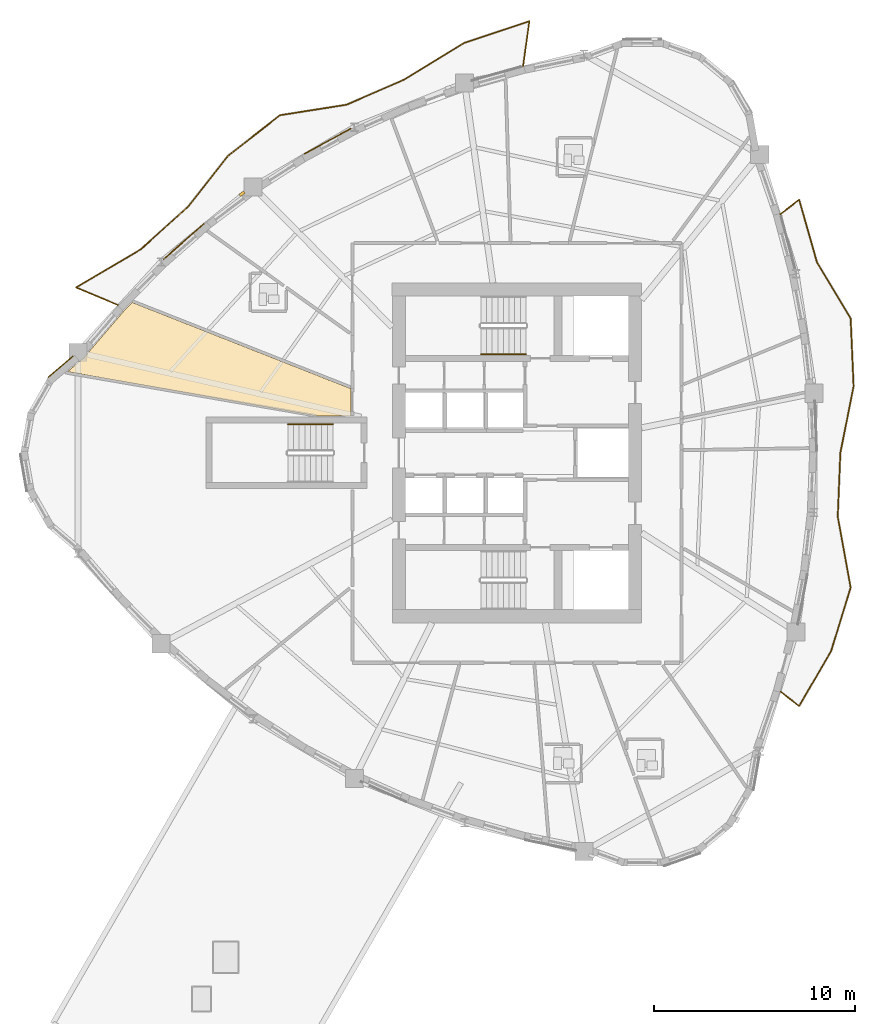
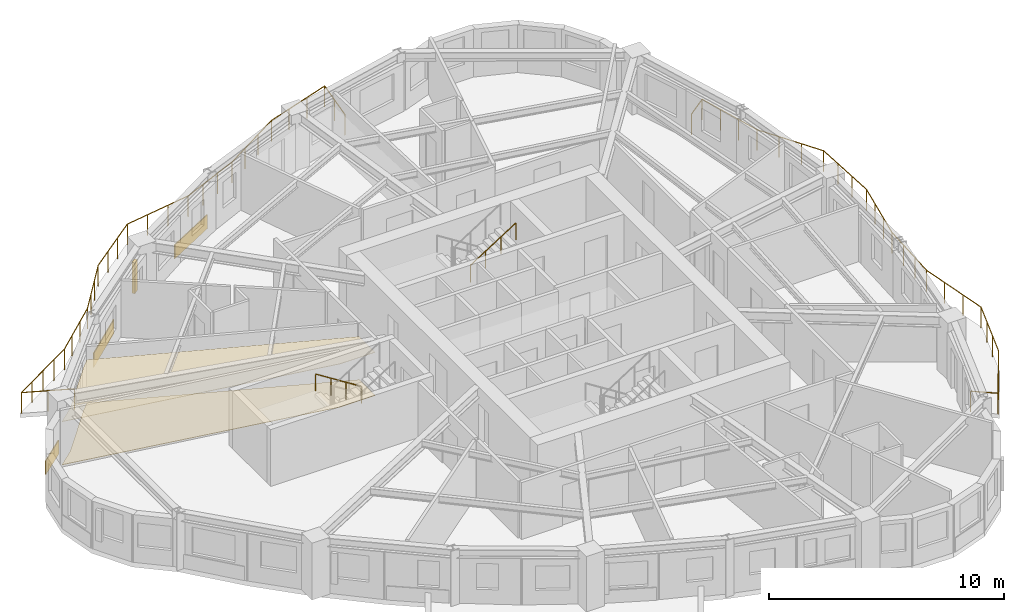
# One storey, part 12 of 14: 5 coverings, 4 railings, 1 shading device.
"""IFC4 building model written with IfcOpenShell, lengths in metres."""

from ifc_helpers import new_model, si_unit, direction, frame, origin, origin_2d, place, context, subcontext, project, spatial, polyline, rectangle, circle, outline, extrude, source, transform, mapped, material, layer, layer_set, type_object, element, save


model = new_model("IFC4")

# Units and contexts
model_context = context("Model", 3, precision=1e-05, world=origin(), true_north=direction((0.0, 1.0)))
body_context = subcontext(model_context, "Body", "Model", "MODEL_VIEW")
ifc_project = project(units=[si_unit("LENGTHUNIT", "METRE"), si_unit("AREAUNIT", "SQUARE_METRE"), si_unit("VOLUMEUNIT", "CUBIC_METRE"), si_unit("PLANEANGLEUNIT", "RADIAN"), si_unit("MASSUNIT", "GRAM", prefix="KILO")], contexts=[model_context])

# Site, building, storey
site_placement = place(None, origin())
site = spatial("IfcSite", under=ifc_project, at=site_placement, CompositionType="ELEMENT")
building_placement = place(site_placement, origin())
building = spatial("IfcBuilding", under=site, at=building_placement, Name="Qafzar Sky-Pleat Residences", CompositionType="ELEMENT")
storey_placement = place(building_placement, frame((0.0, 0.0, 118.39990234375)))
storey = spatial("IfcBuildingStorey", under=building, at=storey_placement, Name="L35", CompositionType="ELEMENT", Elevation=118.39990234375)

# Coverings
ifc_material_1 = material(Name="Perforated acoustic gypsum board ceiling")
ifc_layer_1 = layer(ifc_material_1, 0.02001953125)
ifc_layer_set_1 = layer_set([ifc_layer_1], Name="Perforated acoustic gypsum board ceiling")
covering_type_1 = type_object("IfcCoveringType", Name="COV-CEIL-ACOUSTIC", PredefinedType="CEILING", material=ifc_layer_set_1)
covering_1_placement = place(storey_placement, frame((0.0, 0.0, 2.239990234375)))
element("IfcCovering", 1, at=covering_1_placement, inside=storey, type_object=covering_type_1, Name="L35 Common Dining Room Acoustic Ceiling", PredefinedType="CEILING", context=body_context, shape_type="SweptSolid", body=[
    extrude(outline(polyline([(22.110107421875, 27.8349609375), (20.379150390625, 27.8349609375), (8.004150390625, 30.036865234375), (8.804931640625, 30.71923828125), (10.82373046875, 33.074951171875), (11.221435546875, 33.478515625), (22.110107421875, 29.184814453125), (22.110107421875, 27.8349609375)])), origin(), (0.0, 0.0, 1.0), 0.02001953125),
])
ifc_material_2 = material(Name="Honed porcelain and Riyadh stone tile flooring", Category="masonry")
ifc_layer_2 = layer(ifc_material_2, 0.02001953125)
ifc_layer_set_2 = layer_set([ifc_layer_2], Name="Honed porcelain and Riyadh stone tile flooring")
covering_type_2 = type_object("IfcCoveringType", Name="COV-FLR-PORCELAIN", PredefinedType="FLOORING", material=ifc_layer_set_2)
covering_2_placement = place(storey_placement, origin())
element("IfcCovering", 2, at=covering_2_placement, inside=storey, type_object=covering_type_2, Name="L35 Common Dining Room Honed Stone Flooring", PredefinedType="FLOORING", context=body_context, shape_type="SweptSolid", body=[
    extrude(outline(polyline([(22.110107421875, 27.8349609375), (20.379150390625, 27.8349609375), (8.004150390625, 30.036865234375), (8.804931640625, 30.71923828125), (10.82373046875, 33.074951171875), (11.221435546875, 33.478515625), (22.110107421875, 29.184814453125), (22.110107421875, 27.8349609375)])), origin(), (0.0, 0.0, 1.0), 0.02001953125),
])

# Shading device
ifc_material_3 = material(Name="Honed Riyadh limestone solar fin", Category="masonry")
ifc_layer_3 = layer(ifc_material_3, 0.139892578125)
ifc_layer_set_3 = layer_set([ifc_layer_3], Name="Honed Riyadh limestone solar fin")
shading_device_type = type_object("IfcShadingDeviceType", Name="SHD-FIN-STONE", PredefinedType="SHUTTER", material=ifc_layer_set_3)
shared_shape_1 = source(origin(), body_context, "Body", "SweptSolid", [
    extrude(rectangle(XDim=0.139892578125, YDim=0.280029296875, at=origin_2d()), origin(), (0.0, 0.0, 1.0), 1.60009765625),
])
shading_device_placement = place(storey_placement, frame((16.68310546875, 38.885498046875, 0.60009765625), z_axis=(0.0, 0.0, 1.0), x_axis=(-0.602208472618, 0.798338872602, 0.0)))
element("IfcShadingDevice", 3, at=shading_device_placement, inside=storey, type_object=shading_device_type, Name="L35 Limestone Solar Fin 45", PredefinedType="SHUTTER", context=body_context, shape_type="MappedRepresentation", body=[
    mapped(shared_shape_1, transform((0.0, 0.0, 0.0), x_axis=(1.0, 0.0, 0.0), y_axis=(0.0, 1.0, 0.0), z_axis=(0.0, 0.0, 1.0), scale=1.0)),
])

# Covering
ifc_material_4 = material(Name="Honed Riyadh Tuwaiq limestone cladding", Category="masonry")
ifc_layer_4 = layer(ifc_material_4, 0.044921875)
ifc_layer_set_4 = layer_set([ifc_layer_4], Name="Honed Riyadh Tuwaiq limestone cladding")
covering_type_3 = type_object("IfcCoveringType", Name="COV-CLAD-STONE", PredefinedType="CLADDING", material=ifc_layer_set_4)
shared_shape_2 = source(origin(), body_context, "Body", "SweptSolid", [
    extrude(rectangle(XDim=1.62451171875, YDim=0.044921875, at=origin_2d()), origin(), (0.0, 0.0, 1.0), 0.719970703125),
])
covering_3_placement = place(storey_placement, frame((7.652587890625, 30.2783203125, 0.02001953125), z_axis=(0.0, 0.0, 1.0), x_axis=(-0.761154082005, -0.648571093595, 0.0)))
element("IfcCovering", 4, at=covering_3_placement, inside=storey, type_object=covering_type_3, Name="L35 Riyadh Limestone Spandrel Cladding 1", PredefinedType="CLADDING", context=body_context, shape_type="MappedRepresentation", body=[
    mapped(shared_shape_2, transform((0.0, 0.0, 0.0), x_axis=(1.0, 0.0, 0.0), y_axis=(0.0, 1.0, 0.0), z_axis=(0.0, 0.0, 1.0), scale=1.0)),
])

# Railings
ifc_material_5 = material(Name="Laminated glass and bronze steel balustrade", Category="steel")
railing_type_1 = type_object("IfcRailingType", Name="RAIL-BAL-1100", PredefinedType="BALUSTRADE", material=ifc_material_5)
shared_shape_3 = source(origin(), body_context, "Body", "SweptSolid", [
    extrude(circle(Radius=0.02392578125, at=origin_2d()), frame((0.0, 0.0, 1.076171875), z_axis=(0.792932063794, -0.609310054248, 0.0), x_axis=(0.609310054248, 0.792932063794, 0.0)), (0.0, 0.0, 1.0), 1.177978515625),
    extrude(circle(Radius=0.02392578125, at=origin_2d()), frame((0.93408203125, -0.7177734375, 1.076171875), z_axis=(0.50280024579, 0.864402633519, 0.0), x_axis=(-0.864402633519, 0.50280024579, 0.0)), (0.0, 0.0, 1.0), 3.162353515625),
    extrude(circle(Radius=0.02392578125, at=origin_2d()), frame((2.524169921875, 2.015869140625, 1.076171875), z_axis=(0.293530849641, 0.955949601344, 0.0), x_axis=(-0.955949601344, 0.293530849641, 0.0)), (0.0, 0.0, 1.0), 3.307861328125),
    extrude(circle(Radius=0.02392578125, at=origin_2d()), frame((3.4951171875, 5.177978515625, 1.076171875), z_axis=(-0.179185435941, 0.983815317804, 0.0), x_axis=(-0.983815317804, -0.179185435941, 0.0)), (0.0, 0.0, 1.0), 3.58056640625),
    extrude(circle(Radius=0.02392578125, at=origin_2d()), frame((2.853515625, 8.70068359375, 1.076171875), z_axis=(0.040954900218, 0.99916099611, 0.0), x_axis=(-0.99916099611, 0.040954900218, 0.0)), (0.0, 0.0, 1.0), 3.17138671875),
    extrude(circle(Radius=0.02392578125, at=origin_2d()), frame((2.9833984375, 11.869384765625, 1.076171875), z_axis=(0.195321920693, 0.980739184134, 0.0), x_axis=(-0.980739184134, 0.195321920693, 0.0)), (0.0, 0.0, 1.0), 3.369873046875),
    extrude(circle(Radius=0.02392578125, at=origin_2d()), frame((3.6416015625, 15.17431640625, 1.076171875), z_axis=(-0.04321530311, 0.999065782407, 0.0), x_axis=(-0.999065782407, -0.04321530311, 0.0)), (0.0, 0.0, 1.0), 3.3896484375),
    extrude(circle(Radius=0.02392578125, at=origin_2d()), frame((3.4951171875, 18.560791015625, 1.076171875), z_axis=(-0.515846195278, 0.856681214231, 0.0), x_axis=(-0.856681214231, -0.515846195278, 0.0)), (0.0, 0.0, 1.0), 3.241943359375),
    extrude(circle(Radius=0.02392578125, at=origin_2d()), frame((1.82275390625, 21.338134765625, 1.076171875), z_axis=(-0.274064740499, 0.961711244613, 0.0), x_axis=(-0.961711244613, -0.274064740499, 0.0)), (0.0, 0.0, 1.0), 3.24267578125),
    extrude(circle(Radius=0.02392578125, at=origin_2d()), frame((0.93408203125, 24.45654296875, 1.076171875), z_axis=(-0.792932063794, -0.609310054248, 0.0), x_axis=(0.609310054248, -0.792932063794, 0.0)), (0.0, 0.0, 1.0), 1.177978515625),
    extrude(circle(Radius=0.02099609375, at=origin_2d()), origin(), (0.0, 0.0, 1.0), 1.052001953125),
    extrude(circle(Radius=0.02099609375, at=origin_2d()), frame((0.93408203125, -0.7177734375, 0.0)), (0.0, 0.0, 1.0), 1.052001953125),
    extrude(circle(Radius=0.02099609375, at=origin_2d()), frame((1.464111328125, 0.193359375, 0.0)), (0.0, 0.0, 1.0), 1.052001953125),
    extrude(circle(Radius=0.02099609375, at=origin_2d()), frame((1.994140625, 1.104736328125, 0.0)), (0.0, 0.0, 1.0), 1.052001953125),
    extrude(circle(Radius=0.02099609375, at=origin_2d()), frame((2.524169921875, 2.015869140625, 0.0)), (0.0, 0.0, 1.0), 1.052001953125),
    extrude(circle(Radius=0.02099609375, at=origin_2d()), frame((2.847900390625, 3.06982421875, 0.0)), (0.0, 0.0, 1.0), 1.052001953125),
    extrude(circle(Radius=0.02099609375, at=origin_2d()), frame((3.17138671875, 4.1240234375, 0.0)), (0.0, 0.0, 1.0), 1.052001953125),
    extrude(circle(Radius=0.02099609375, at=origin_2d()), frame((3.4951171875, 5.177978515625, 0.0)), (0.0, 0.0, 1.0), 1.052001953125),
    extrude(circle(Radius=0.02099609375, at=origin_2d()), frame((3.28125, 6.352294921875, 0.0)), (0.0, 0.0, 1.0), 1.052001953125),
    extrude(circle(Radius=0.02099609375, at=origin_2d()), frame((3.0673828125, 7.5263671875, 0.0)), (0.0, 0.0, 1.0), 1.052001953125),
    extrude(circle(Radius=0.02099609375, at=origin_2d()), frame((2.853515625, 8.70068359375, 0.0)), (0.0, 0.0, 1.0), 1.052001953125),
    extrude(circle(Radius=0.02099609375, at=origin_2d()), frame((2.896728515625, 9.7568359375, 0.0)), (0.0, 0.0, 1.0), 1.052001953125),
    extrude(circle(Radius=0.02099609375, at=origin_2d()), frame((2.940185546875, 10.813232421875, 0.0)), (0.0, 0.0, 1.0), 1.052001953125),
    extrude(circle(Radius=0.02099609375, at=origin_2d()), frame((2.9833984375, 11.869384765625, 0.0)), (0.0, 0.0, 1.0), 1.052001953125),
    extrude(circle(Radius=0.02099609375, at=origin_2d()), frame((3.202880859375, 12.970947265625, 0.0)), (0.0, 0.0, 1.0), 1.052001953125),
    extrude(circle(Radius=0.02099609375, at=origin_2d()), frame((3.422119140625, 14.07275390625, 0.0)), (0.0, 0.0, 1.0), 1.052001953125),
    extrude(circle(Radius=0.02099609375, at=origin_2d()), frame((3.6416015625, 15.17431640625, 0.0)), (0.0, 0.0, 1.0), 1.052001953125),
    extrude(circle(Radius=0.02099609375, at=origin_2d()), frame((3.5927734375, 16.30322265625, 0.0)), (0.0, 0.0, 1.0), 1.052001953125),
    extrude(circle(Radius=0.02099609375, at=origin_2d()), frame((3.5439453125, 17.431884765625, 0.0)), (0.0, 0.0, 1.0), 1.052001953125),
    extrude(circle(Radius=0.02099609375, at=origin_2d()), frame((3.4951171875, 18.560791015625, 0.0)), (0.0, 0.0, 1.0), 1.052001953125),
    extrude(circle(Radius=0.02099609375, at=origin_2d()), frame((2.937744140625, 19.486572265625, 0.0)), (0.0, 0.0, 1.0), 1.052001953125),
    extrude(circle(Radius=0.02099609375, at=origin_2d()), frame((2.380126953125, 20.412353515625, 0.0)), (0.0, 0.0, 1.0), 1.052001953125),
    extrude(circle(Radius=0.02099609375, at=origin_2d()), frame((1.82275390625, 21.338134765625, 0.0)), (0.0, 0.0, 1.0), 1.052001953125),
    extrude(circle(Radius=0.02099609375, at=origin_2d()), frame((1.526611328125, 22.377685546875, 0.0)), (0.0, 0.0, 1.0), 1.052001953125),
    extrude(circle(Radius=0.02099609375, at=origin_2d()), frame((1.230224609375, 23.4169921875, 0.0)), (0.0, 0.0, 1.0), 1.052001953125),
    extrude(circle(Radius=0.02099609375, at=origin_2d()), frame((0.93408203125, 24.45654296875, 0.0)), (0.0, 0.0, 1.0), 1.052001953125),
    extrude(circle(Radius=0.02099609375, at=origin_2d()), frame((0.0, 23.73876953125, 0.0)), (0.0, 0.0, 1.0), 1.052001953125),
])
railing_1_placement = place(storey_placement, frame((43.4462890625, 14.130615234375, 0.0)))
element("IfcRailing", 5, at=railing_1_placement, inside=storey, type_object=railing_type_1, Name="L35 Pleated Balcony 1 Balustrade", PredefinedType="BALUSTRADE", context=body_context, shape_type="MappedRepresentation", body=[
    mapped(shared_shape_3, transform((0.0, 0.0, 0.0), x_axis=(1.0, 0.0, 0.0), y_axis=(0.0, 1.0, 0.0), z_axis=(0.0, 0.0, 1.0), scale=1.0)),
])
shared_shape_4 = source(origin(), body_context, "Body", "SweptSolid", [
    extrude(circle(Radius=0.02392578125, at=origin_2d()), frame((0.0, 0.0, 1.076171875), z_axis=(0.136964805179, 0.990575914376, 0.0), x_axis=(-0.990575914376, 0.136964805179, 0.0)), (0.0, 0.0, 1.0), 2.27099609375),
    extrude(circle(Radius=0.02392578125, at=origin_2d()), frame((0.31103515625, 2.24951171875, 1.076171875), z_axis=(-0.948504991036, -0.316762185211, 0.0), x_axis=(0.316762185211, -0.948504991036, 0.0)), (0.0, 0.0, 1.0), 3.426025390625),
    extrude(circle(Radius=0.02392578125, at=origin_2d()), frame((-2.9384765625, 1.164306640625, 1.076171875), z_axis=(-0.85265153756, -0.522480004877, 0.0), x_axis=(0.522480004877, -0.85265153756, 0.0)), (0.0, 0.0, 1.0), 3.48876953125),
    extrude(circle(Radius=0.02392578125, at=origin_2d()), frame((-5.9130859375, -0.658447265625, 1.076171875), z_axis=(-0.917493090818, -0.397751716906, 0.0), x_axis=(0.397751716906, -0.917493090818, 0.0)), (0.0, 0.0, 1.0), 3.134033203125),
    extrude(circle(Radius=0.02392578125, at=origin_2d()), frame((-8.78857421875, -1.905029296875, 1.076171875), z_axis=(-0.987837119811, -0.155492201486, 0.0), x_axis=(0.155492201486, -0.987837119811, 0.0)), (0.0, 0.0, 1.0), 3.331787109375),
    extrude(circle(Radius=0.02392578125, at=origin_2d()), frame((-12.079833984375, -2.423095703125, 1.076171875), z_axis=(-0.788517401725, -0.615012444733, 0.0), x_axis=(0.615012444733, -0.788517401725, 0.0)), (0.0, 0.0, 1.0), 3.2939453125),
    extrude(circle(Radius=0.02392578125, at=origin_2d()), frame((-14.67724609375, -4.448974609375, 1.076171875), z_axis=(-0.617419143913, -0.786634350083, 0.0), x_axis=(0.786634350083, -0.617419143913, 0.0)), (0.0, 0.0, 1.0), 3.216064453125),
    extrude(circle(Radius=0.02392578125, at=origin_2d()), frame((-16.662841796875, -6.978759765625, 1.076171875), z_axis=(-0.742752641573, -0.669565914184, 0.0), x_axis=(0.669565914184, -0.742752641573, 0.0)), (0.0, 0.0, 1.0), 3.162353515625),
    extrude(circle(Radius=0.02392578125, at=origin_2d()), frame((-19.01171875, -9.09619140625, 1.076171875), z_axis=(-0.861538461538, -0.507692307692, 0.0), x_axis=(0.507692307692, -0.861538461538, 0.0)), (0.0, 0.0, 1.0), 3.729248046875),
    extrude(circle(Radius=0.02392578125, at=origin_2d()), frame((-22.224609375, -10.989501953125, 1.076171875), z_axis=(0.92188612013, -0.387460941918, 0.0), x_axis=(0.387460941918, 0.92188612013, 0.0)), (0.0, 0.0, 1.0), 2.27099609375),
    extrude(circle(Radius=0.02099609375, at=origin_2d()), origin(), (0.0, 0.0, 1.0), 1.052001953125),
    extrude(circle(Radius=0.02099609375, at=origin_2d()), frame((0.155517578125, 1.124755859375, 0.0)), (0.0, 0.0, 1.0), 1.052001953125),
    extrude(circle(Radius=0.02099609375, at=origin_2d()), frame((0.31103515625, 2.24951171875, 0.0)), (0.0, 0.0, 1.0), 1.052001953125),
    extrude(circle(Radius=0.02099609375, at=origin_2d()), frame((-0.772216796875, 1.8876953125, 0.0)), (0.0, 0.0, 1.0), 1.052001953125),
    extrude(circle(Radius=0.02099609375, at=origin_2d()), frame((-1.855224609375, 1.526123046875, 0.0)), (0.0, 0.0, 1.0), 1.052001953125),
    extrude(circle(Radius=0.02099609375, at=origin_2d()), frame((-2.9384765625, 1.164306640625, 0.0)), (0.0, 0.0, 1.0), 1.052001953125),
    extrude(circle(Radius=0.02099609375, at=origin_2d()), frame((-3.929931640625, 0.556640625, 0.0)), (0.0, 0.0, 1.0), 1.052001953125),
    extrude(circle(Radius=0.02099609375, at=origin_2d()), frame((-4.921630859375, -0.05078125, 0.0)), (0.0, 0.0, 1.0), 1.052001953125),
    extrude(circle(Radius=0.02099609375, at=origin_2d()), frame((-5.9130859375, -0.658447265625, 0.0)), (0.0, 0.0, 1.0), 1.052001953125),
    extrude(circle(Radius=0.02099609375, at=origin_2d()), frame((-6.87158203125, -1.073974609375, 0.0)), (0.0, 0.0, 1.0), 1.052001953125),
    extrude(circle(Radius=0.02099609375, at=origin_2d()), frame((-7.830078125, -1.489501953125, 0.0)), (0.0, 0.0, 1.0), 1.052001953125),
    extrude(circle(Radius=0.02099609375, at=origin_2d()), frame((-8.78857421875, -1.905029296875, 0.0)), (0.0, 0.0, 1.0), 1.052001953125),
    extrude(circle(Radius=0.02099609375, at=origin_2d()), frame((-9.8857421875, -2.07763671875, 0.0)), (0.0, 0.0, 1.0), 1.052001953125),
    extrude(circle(Radius=0.02099609375, at=origin_2d()), frame((-10.982666015625, -2.25048828125, 0.0)), (0.0, 0.0, 1.0), 1.052001953125),
    extrude(circle(Radius=0.02099609375, at=origin_2d()), frame((-12.079833984375, -2.423095703125, 0.0)), (0.0, 0.0, 1.0), 1.052001953125),
    extrude(circle(Radius=0.02099609375, at=origin_2d()), frame((-12.945556640625, -3.098388671875, 0.0)), (0.0, 0.0, 1.0), 1.052001953125),
    extrude(circle(Radius=0.02099609375, at=origin_2d()), frame((-13.8115234375, -3.773681640625, 0.0)), (0.0, 0.0, 1.0), 1.052001953125),
    extrude(circle(Radius=0.02099609375, at=origin_2d()), frame((-14.67724609375, -4.448974609375, 0.0)), (0.0, 0.0, 1.0), 1.052001953125),
    extrude(circle(Radius=0.02099609375, at=origin_2d()), frame((-15.339111328125, -5.292236328125, 0.0)), (0.0, 0.0, 1.0), 1.052001953125),
    extrude(circle(Radius=0.02099609375, at=origin_2d()), frame((-16.0009765625, -6.135498046875, 0.0)), (0.0, 0.0, 1.0), 1.052001953125),
    extrude(circle(Radius=0.02099609375, at=origin_2d()), frame((-16.662841796875, -6.978759765625, 0.0)), (0.0, 0.0, 1.0), 1.052001953125),
    extrude(circle(Radius=0.02099609375, at=origin_2d()), frame((-17.44580078125, -7.6845703125, 0.0)), (0.0, 0.0, 1.0), 1.052001953125),
    extrude(circle(Radius=0.02099609375, at=origin_2d()), frame((-18.228759765625, -8.390380859375, 0.0)), (0.0, 0.0, 1.0), 1.052001953125),
    extrude(circle(Radius=0.02099609375, at=origin_2d()), frame((-19.01171875, -9.09619140625, 0.0)), (0.0, 0.0, 1.0), 1.052001953125),
    extrude(circle(Radius=0.02099609375, at=origin_2d()), frame((-19.81494140625, -9.569580078125, 0.0)), (0.0, 0.0, 1.0), 1.052001953125),
    extrude(circle(Radius=0.02099609375, at=origin_2d()), frame((-20.6181640625, -10.04296875, 0.0)), (0.0, 0.0, 1.0), 1.052001953125),
    extrude(circle(Radius=0.02099609375, at=origin_2d()), frame((-21.42138671875, -10.51611328125, 0.0)), (0.0, 0.0, 1.0), 1.052001953125),
    extrude(circle(Radius=0.02099609375, at=origin_2d()), frame((-22.224609375, -10.989501953125, 0.0)), (0.0, 0.0, 1.0), 1.052001953125),
    extrude(circle(Radius=0.02099609375, at=origin_2d()), frame((-21.177734375, -11.429443359375, 0.0)), (0.0, 0.0, 1.0), 1.052001953125),
    extrude(circle(Radius=0.02099609375, at=origin_2d()), frame((-20.131103515625, -11.869384765625, 0.0)), (0.0, 0.0, 1.0), 1.052001953125),
])
railing_2_placement = place(storey_placement, frame((30.656494140625, 45.212890625, 0.0)))
element("IfcRailing", 6, at=railing_2_placement, inside=storey, type_object=railing_type_1, Name="L35 Pleated Balcony 2 Balustrade", PredefinedType="BALUSTRADE", context=body_context, shape_type="MappedRepresentation", body=[
    mapped(shared_shape_4, transform((0.0, 0.0, 0.0), x_axis=(1.0, 0.0, 0.0), y_axis=(0.0, 1.0, 0.0), z_axis=(0.0, 0.0, 1.0), scale=1.0)),
])

# Coverings
shared_shape_5 = source(origin(), body_context, "Body", "SweptSolid", [
    extrude(rectangle(XDim=2.6455078125, YDim=0.044921875, at=origin_2d()), origin(), (0.0, 0.0, 1.0), 0.719970703125),
])
covering_4_placement = place(storey_placement, frame((20.943603515625, 41.498291015625, 0.02001953125), z_axis=(0.0, 0.0, 1.0), x_axis=(-0.880073172957, -0.474838088448, 0.0)))
element("IfcCovering", 7, at=covering_4_placement, inside=storey, type_object=covering_type_3, Name="L35 Riyadh Limestone Spandrel Cladding 43", PredefinedType="CLADDING", context=body_context, shape_type="MappedRepresentation", body=[
    mapped(shared_shape_5, transform((0.0, 0.0, 0.0), x_axis=(1.0, 0.0, 0.0), y_axis=(0.0, 1.0, 0.0), z_axis=(0.0, 0.0, 1.0), scale=1.0)),
])
shared_shape_6 = source(origin(), body_context, "Body", "SweptSolid", [
    extrude(rectangle(XDim=2.690673828125, YDim=0.044921875, at=origin_2d()), origin(), (0.0, 0.0, 1.0), 0.719970703125),
])
covering_5_placement = place(storey_placement, frame((13.780517578125, 36.506591796875, 0.02001953125), z_axis=(0.0, 0.0, 1.0), x_axis=(-0.751446292476, -0.659794263027, 0.0)))
element("IfcCovering", 8, at=covering_5_placement, inside=storey, type_object=covering_type_3, Name="L35 Riyadh Limestone Spandrel Cladding 46", PredefinedType="CLADDING", context=body_context, shape_type="MappedRepresentation", body=[
    mapped(shared_shape_6, transform((0.0, 0.0, 0.0), x_axis=(1.0, 0.0, 0.0), y_axis=(0.0, 1.0, 0.0), z_axis=(0.0, 0.0, 1.0), scale=1.0)),
])

# Railings
ifc_material_6 = material(Name="Brushed stainless steel handrail", Category="steel")
railing_type_2 = type_object("IfcRailingType", Name="RAIL-STAIR-HAND", PredefinedType="HANDRAIL", material=ifc_material_6)
shared_shape_7 = source(origin(), body_context, "Body", "SweptSolid", [
    extrude(circle(Radius=0.02392578125, at=origin_2d()), frame((0.0, 0.0, 0.8759765625), z_axis=(-0.8442293374, 0.0, 0.53598211339), x_axis=(0.0, -1.0, 0.0)), (0.0, 0.0, 1.0), 2.6533203125),
    extrude(circle(Radius=0.02099609375, at=origin_2d()), origin(), (0.0, 0.0, 1.0), 0.851806640625),
    extrude(circle(Radius=0.02099609375, at=origin_2d()), frame((-0.74658203125, 0.0, 0.47412109375)), (0.0, 0.0, 1.0), 0.851806640625),
    extrude(circle(Radius=0.02099609375, at=origin_2d()), frame((-1.493408203125, 0.0, 0.947998046875)), (0.0, 0.0, 1.0), 0.851806640625),
    extrude(circle(Radius=0.02099609375, at=origin_2d()), frame((-2.239990234375, 0.0, 1.422119140625)), (0.0, 0.0, 1.0), 0.851806640625),
])
railing_3_placement = place(storey_placement, frame((21.199951171875, 27.425048828125, 0.177978515625)))
element("IfcRailing", 9, at=railing_3_placement, inside=storey, type_object=railing_type_2, Name="L35 ST3 stair handrail 1", PredefinedType="HANDRAIL", context=body_context, shape_type="MappedRepresentation", body=[
    mapped(shared_shape_7, transform((0.0, 0.0, 0.0), x_axis=(1.0, 0.0, 0.0), y_axis=(0.0, 1.0, 0.0), z_axis=(0.0, 0.0, 1.0), scale=1.0)),
])
shared_shape_8 = source(origin(), body_context, "Body", "SweptSolid", [
    extrude(circle(Radius=0.02392578125, at=origin_2d()), frame((0.0, 0.0, 0.8759765625), z_axis=(0.84418770128, 0.0, 0.536047689118), x_axis=(0.0, 1.0, 0.0)), (0.0, 0.0, 1.0), 2.6533203125),
    extrude(circle(Radius=0.02099609375, at=origin_2d()), origin(), (0.0, 0.0, 1.0), 0.851806640625),
    extrude(circle(Radius=0.02099609375, at=origin_2d()), frame((0.74658203125, 0.0, 0.47412109375)), (0.0, 0.0, 1.0), 0.851806640625),
    extrude(circle(Radius=0.02099609375, at=origin_2d()), frame((1.493408203125, 0.0, 0.9482421875)), (0.0, 0.0, 1.0), 0.851806640625),
    extrude(circle(Radius=0.02099609375, at=origin_2d()), frame((2.239990234375, 0.0, 1.42236328125)), (0.0, 0.0, 1.0), 0.851806640625),
])
railing_4_placement = place(storey_placement, frame((28.56005859375, 30.89990234375, 1.77783203125)))
element("IfcRailing", 10, at=railing_4_placement, inside=storey, type_object=railing_type_2, Name="L35 ST2 stair handrail 2", PredefinedType="HANDRAIL", context=body_context, shape_type="MappedRepresentation", body=[
    mapped(shared_shape_8, transform((0.0, 0.0, 0.0), x_axis=(1.0, 0.0, 0.0), y_axis=(0.0, 1.0, 0.0), z_axis=(0.0, 0.0, 1.0), scale=1.0)),
])

save(model, "model.ifc")
